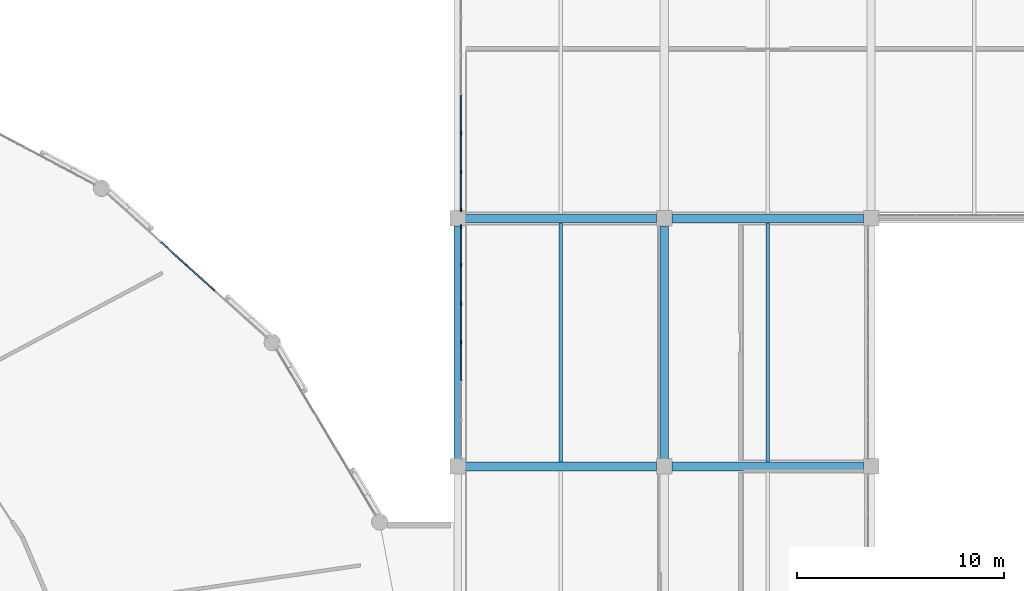
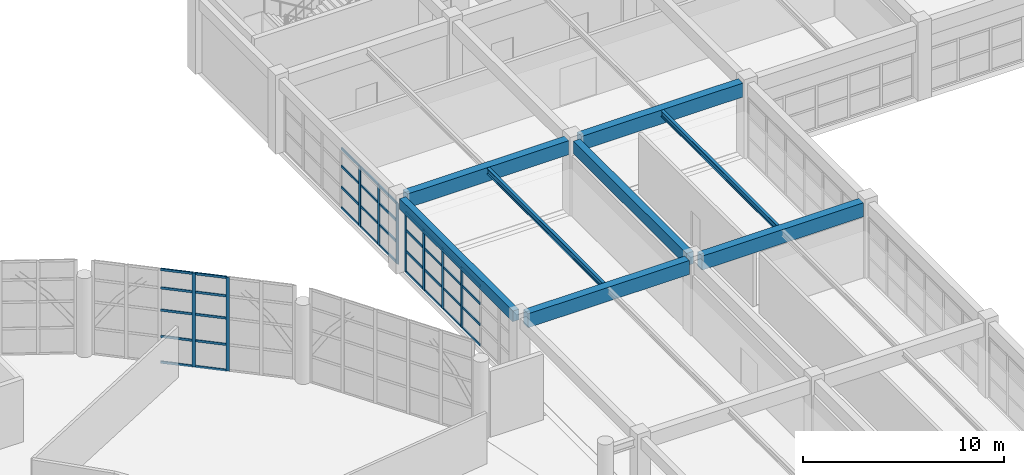
# One storey, part 46 of 109: 47 members, 8 beams, 3 elements without a shape of their own.
"""IFC4 building model written with IfcOpenShell, lengths in metres."""

from ifc_helpers import new_model, si_unit, direction, frame, origin, origin_2d, place, context, subcontext, project, spatial, rectangle, i_section, extrude, material, layer, layer_set, material_profile, profile_set, type_object, element, aggregate, save


model = new_model("IFC4")

# Units and contexts
model_context = context("Model", 3, precision=1e-05, world=origin(), true_north=direction((0.0, 1.0)))
body_context = subcontext(model_context, "Body", "Model", "MODEL_VIEW")
ifc_project = project(units=[si_unit("LENGTHUNIT", "METRE"), si_unit("AREAUNIT", "SQUARE_METRE"), si_unit("VOLUMEUNIT", "CUBIC_METRE"), si_unit("PLANEANGLEUNIT", "RADIAN"), si_unit("MASSUNIT", "GRAM", prefix="KILO")], contexts=[model_context])

# Site, building, storey
site_placement = place(None, origin())
site = spatial("IfcSite", under=ifc_project, at=site_placement, CompositionType="ELEMENT")
building_placement = place(site_placement, origin())
building = spatial("IfcBuilding", under=site, at=building_placement, Name="Kivolera Central Railway Station", CompositionType="ELEMENT")
storey_placement = place(building_placement, frame((0.0, 0.0, 9.60009765625)))
storey = spatial("IfcBuildingStorey", under=building, at=storey_placement, Name="L02", CompositionType="ELEMENT", Elevation=9.60009765625)

# Beams
ifc_material_1 = material(Name="Steel S355", Category="steel")
ifc_material_profile_1 = material_profile(ifc_material_1, i_section(OverallWidth=0.169921875, OverallDepth=0.360107421875, WebThickness=0.008056640625, FlangeThickness=0.0126953125, FilletRadius=0.01806640625, at=origin_2d()), Name="IPE 360")
ifc_profile_set_1 = profile_set([ifc_material_profile_1], Name="Steel S355")
beam_type_1 = type_object("IfcBeamType", Name="BM-JST-IPE360", PredefinedType="JOIST", material=ifc_profile_set_1)
for number, where, z_axis, x_axis, name in (
    (1, (123.0, 102.217041015625, 4.327880859375), (0.0, 1.0, 0.0), (-1.0, 0.0, 0.0), "L02 Floor Joist 12-13/J-K"),
    (2, (133.0, 102.217041015625, 4.327880859375), (0.0, 1.0, 0.0), (-1.0, 0.0, 0.0), "L02 Floor Joist 13-14/J-K"),
):
    element("IfcBeam", number, at=place(storey_placement, frame(where, z_axis=z_axis, x_axis=x_axis)), inside=storey, type_object=beam_type_1, Name=name, PredefinedType="JOIST", context=body_context, shape_type="SweptSolid", body=[
        extrude(i_section(OverallWidth=0.169921875, OverallDepth=0.360107421875, WebThickness=0.008056640625, FlangeThickness=0.0126953125, FilletRadius=0.01806640625, at=origin_2d()), origin(), (0.0, 0.0, 1.0), 11.56591796875),
    ])
ifc_material_2 = material(Name="Concrete C40/50", Category="concrete")
ifc_material_profile_2 = material_profile(ifc_material_2, rectangle(XDim=0.39990234375, YDim=0.75, at=origin_2d()), Name="RC 400x750")
ifc_profile_set_2 = profile_set([ifc_material_profile_2], Name="Concrete C40/50")
beam_type_2 = type_object("IfcBeamType", Name="BM-RC-400x750", PredefinedType="BEAM", material=ifc_profile_set_2)
beam_1_placement = place(storey_placement, frame((128.0, 102.366943359375, 4.14501953125), z_axis=(0.0, 1.0, 0.0), x_axis=(-1.0, 0.0, 0.0)))
element("IfcBeam", 3, at=beam_1_placement, inside=storey, type_object=beam_type_2, Name="L02 Wing Y-Beam 13:J-K", PredefinedType="BEAM", context=body_context, shape_type="SweptSolid", body=[
    extrude(rectangle(XDim=0.39990234375, YDim=0.75, at=origin_2d()), origin(), (0.0, 0.0, 1.0), 11.26611328125),
])
ifc_material_profile_3 = material_profile(ifc_material_2, rectangle(XDim=0.449951171875, YDim=0.85009765625, at=origin_2d()), Name="RC 450x850")
ifc_profile_set_3 = profile_set([ifc_material_profile_3], Name="Concrete C40/50")
beam_type_3 = type_object("IfcBeamType", Name="BM-RC-450x850", PredefinedType="BEAM", material=ifc_profile_set_3)
for number, where, z_axis, x_axis, name in (
    (4, (118.366943359375, 102.0, 4.094970703125), (1.0, 0.0, 0.0), (0.0, 1.0, 0.0), "L02 Wing X-Beam J:12-13"),
    (5, (128.366943359375, 102.0, 4.094970703125), (1.0, 0.0, 0.0), (0.0, 1.0, 0.0), "L02 Wing X-Beam J:13-14"),
    (6, (118.366943359375, 114.0, 4.094970703125), (1.0, 0.0, 0.0), (0.0, 1.0, 0.0), "L02 Wing X-Beam K:12-13"),
    (7, (128.366943359375, 114.0, 4.094970703125), (1.0, 0.0, 0.0), (0.0, 1.0, 0.0), "L02 Wing X-Beam K:13-14"),
):
    element("IfcBeam", number, at=place(storey_placement, frame(where, z_axis=z_axis, x_axis=x_axis)), inside=storey, type_object=beam_type_3, Name=name, PredefinedType="BEAM", context=body_context, shape_type="SweptSolid", body=[
        extrude(rectangle(XDim=0.449951171875, YDim=0.85009765625, at=origin_2d()), origin(), (0.0, 0.0, 1.0), 9.26611328125),
    ])
ifc_material_profile_4 = material_profile(ifc_material_2, rectangle(XDim=0.35009765625, YDim=0.64990234375, at=origin_2d()), Name="RC 350x650")
ifc_profile_set_4 = profile_set([ifc_material_profile_4], Name="Concrete C40/50")
beam_type_4 = type_object("IfcBeamType", Name="BM-SPN-RC650", PredefinedType="SPANDREL", material=ifc_profile_set_4)
beam_2_placement = place(storey_placement, frame((118.0, 102.366943359375, 4.19482421875), z_axis=(0.0, 1.0, 0.0), x_axis=(-1.0, 0.0, 0.0)))
element("IfcBeam", 8, at=beam_2_placement, inside=storey, type_object=beam_type_4, Name="L02 Wing Y-Beam 12:J-K", PredefinedType="SPANDREL", context=body_context, shape_type="SweptSolid", body=[
    extrude(rectangle(XDim=0.35009765625, YDim=0.64990234375, at=origin_2d()), origin(), (0.0, 0.0, 1.0), 11.26611328125),
])

# Curtain wall, members
ifc_material_3 = material(Name="Anodised aluminium", Category="aluminium")
ifc_layer_1 = layer(ifc_material_3, 0.179931640625, Name="Anodised aluminium")
ifc_layer_set_1 = layer_set([ifc_layer_1], Name="Anodised aluminium")
curtain_wall_type_1 = type_object("IfcCurtainWallType", Name="CW-SYS-06", PredefinedType="NOTDEFINED", material=ifc_layer_set_1)
curtain_wall_1_placement = place(storey_placement, origin())
curtain_wall_1 = element("IfcCurtainWall", 9, at=curtain_wall_1_placement, inside=storey, type_object=curtain_wall_type_1, Name="L02 Curtain Wall CW-L02-OVL-02", PredefinedType="NOTDEFINED")
ifc_material_profile_5 = material_profile(ifc_material_3, rectangle(XDim=0.070068359375, YDim=0.179931640625, at=origin_2d()), Name="ALU MULL 70x180")
ifc_profile_set_5 = profile_set([ifc_material_profile_5], Name="Anodised aluminium")
member_type_1 = type_object("IfcMemberType", Name="CWM-MUL-1", PredefinedType="MULLION", material=ifc_profile_set_5)
member_1_placement = place(storey_placement, frame((104.901611328125, 111.72802734375, -0.005126953125), z_axis=(0.0, 0.0, 1.0), x_axis=(0.66992157428, 0.742431871833, 0.0)))
member_1 = element("IfcMember", 10, at=member_1_placement, type_object=member_type_1, Name="CW-06 mullion 4", PredefinedType="MULLION", context=body_context, shape_type="SweptSolid", body=[
    extrude(rectangle(XDim=0.070068359375, YDim=0.179931640625, at=origin_2d()), origin(), (0.0, 0.0, 1.0), 5.705078125),
])
member_2_placement = place(storey_placement, frame((106.1796875, 110.57470703125, -0.005126953125), z_axis=(0.0, 0.0, 1.0), x_axis=(0.66992157428, 0.742431871833, 0.0)))
member_2 = element("IfcMember", 11, at=member_2_placement, type_object=member_type_1, Name="CW-06 mullion 5", PredefinedType="MULLION", context=body_context, shape_type="SweptSolid", body=[
    extrude(rectangle(XDim=0.070068359375, YDim=0.179931640625, at=origin_2d()), origin(), (0.0, 0.0, 1.0), 5.705078125),
])

ifc_layer_2 = layer(ifc_material_3, 0.179931640625, Name="Anodised aluminium")
ifc_layer_set_2 = layer_set([ifc_layer_2], Name="Anodised aluminium")
curtain_wall_type_2 = type_object("IfcCurtainWallType", Name="CW-SYS-28", PredefinedType="NOTDEFINED", material=ifc_layer_set_2)
curtain_wall_2_placement = place(storey_placement, origin())
curtain_wall_2 = element("IfcCurtainWall", 12, at=curtain_wall_2_placement, inside=storey, type_object=curtain_wall_type_2, Name="L02 Curtain Wall CW-L02-WEST-J", PredefinedType="NOTDEFINED")
member_3_placement = place(storey_placement, frame((118.153076171875, 108.0, -0.005126953125), z_axis=(0.0, 0.0, 1.0), x_axis=(-1.0, 0.0, 0.0)))
member_3 = element("IfcMember", 13, at=member_3_placement, type_object=member_type_1, Name="CW-28 mullion 4", PredefinedType="MULLION", context=body_context, shape_type="SweptSolid", body=[
    extrude(rectangle(XDim=0.070068359375, YDim=0.179931640625, at=origin_2d()), origin(), (0.0, 0.0, 1.0), 3.6630859375),
])
member_4_placement = place(storey_placement, frame((118.153076171875, 109.876708984375, -0.005126953125), z_axis=(0.0, 0.0, 1.0), x_axis=(-1.0, 0.0, 0.0)))
member_4 = element("IfcMember", 14, at=member_4_placement, type_object=member_type_1, Name="CW-28 mullion 5", PredefinedType="MULLION", context=body_context, shape_type="SweptSolid", body=[
    extrude(rectangle(XDim=0.070068359375, YDim=0.179931640625, at=origin_2d()), origin(), (0.0, 0.0, 1.0), 3.6630859375),
])
member_5_placement = place(storey_placement, frame((118.153076171875, 111.75341796875, -0.005126953125), z_axis=(0.0, 0.0, 1.0), x_axis=(-1.0, 0.0, 0.0)))
member_5 = element("IfcMember", 15, at=member_5_placement, type_object=member_type_1, Name="CW-28 mullion 6", PredefinedType="MULLION", context=body_context, shape_type="SweptSolid", body=[
    extrude(rectangle(XDim=0.070068359375, YDim=0.179931640625, at=origin_2d()), origin(), (0.0, 0.0, 1.0), 3.6630859375),
])
member_6_placement = place(storey_placement, frame((118.153076171875, 113.594970703125, -0.005126953125), z_axis=(0.0, 0.0, 1.0), x_axis=(-1.0, 0.0, 0.0)))
member_6 = element("IfcMember", 16, at=member_6_placement, type_object=member_type_1, Name="CW-28 mullion 7", PredefinedType="MULLION", context=body_context, shape_type="SweptSolid", body=[
    extrude(rectangle(XDim=0.070068359375, YDim=0.179931640625, at=origin_2d()), origin(), (0.0, 0.0, 1.0), 3.6630859375),
])

curtain_wall_3_placement = place(storey_placement, origin())
curtain_wall_3 = element("IfcCurtainWall", 17, at=curtain_wall_3_placement, inside=storey, type_object=curtain_wall_type_2, Name="L02 Curtain Wall CW-L02-WEST-K", PredefinedType="NOTDEFINED")
member_7_placement = place(storey_placement, frame((118.153076171875, 114.405029296875, -0.005126953125), z_axis=(0.0, 0.0, 1.0), x_axis=(-1.0, 0.0, 0.0)))
member_7 = element("IfcMember", 18, at=member_7_placement, type_object=member_type_1, Name="CW-28 mullion 1", PredefinedType="MULLION", context=body_context, shape_type="SweptSolid", body=[
    extrude(rectangle(XDim=0.070068359375, YDim=0.179931640625, at=origin_2d()), origin(), (0.0, 0.0, 1.0), 3.6630859375),
])
member_8_placement = place(storey_placement, frame((118.153076171875, 116.24658203125, -0.005126953125), z_axis=(0.0, 0.0, 1.0), x_axis=(-1.0, 0.0, 0.0)))
member_8 = element("IfcMember", 19, at=member_8_placement, type_object=member_type_1, Name="CW-28 mullion 2", PredefinedType="MULLION", context=body_context, shape_type="SweptSolid", body=[
    extrude(rectangle(XDim=0.070068359375, YDim=0.179931640625, at=origin_2d()), origin(), (0.0, 0.0, 1.0), 3.6630859375),
])
member_9_placement = place(storey_placement, frame((118.153076171875, 118.123291015625, -0.005126953125), z_axis=(0.0, 0.0, 1.0), x_axis=(-1.0, 0.0, 0.0)))
member_9 = element("IfcMember", 20, at=member_9_placement, type_object=member_type_1, Name="CW-28 mullion 3", PredefinedType="MULLION", context=body_context, shape_type="SweptSolid", body=[
    extrude(rectangle(XDim=0.070068359375, YDim=0.179931640625, at=origin_2d()), origin(), (0.0, 0.0, 1.0), 3.6630859375),
])

# Member
ifc_material_profile_6 = material_profile(ifc_material_3, rectangle(XDim=0.070068359375, YDim=0.139892578125, at=origin_2d()), Name="ALU TRAN 70x140")
ifc_profile_set_6 = profile_set([ifc_material_profile_6], Name="Anodised aluminium")
member_type_2 = type_object("IfcMemberType", Name="CWM-TRN-1", PredefinedType="USERDEFINED", material=ifc_profile_set_6)
member_10_placement = place(storey_placement, frame((103.6494140625, 112.85791015625, 0.034912109375), z_axis=(0.742396704206, -0.669960546289, 0.0), x_axis=(0.669960546289, 0.742396704206, 0.0)))
member_10 = element("IfcMember", 21, at=member_10_placement, type_object=member_type_2, Name="CW-06 transom 3.1", ObjectType="TRANSOM", PredefinedType="USERDEFINED", context=body_context, shape_type="SweptSolid", body=[
    extrude(rectangle(XDim=0.070068359375, YDim=0.139892578125, at=origin_2d()), origin(), (0.0, 0.0, 1.0), 1.651611328125),
])

member_11_placement = place(storey_placement, frame((103.6494140625, 112.85791015625, 1.599853515625), z_axis=(0.742396704206, -0.669960546289, 0.0), x_axis=(0.669960546289, 0.742396704206, 0.0)))
member_11 = element("IfcMember", 22, at=member_11_placement, type_object=member_type_2, Name="CW-06 transom 3.2", ObjectType="TRANSOM", PredefinedType="USERDEFINED", context=body_context, shape_type="SweptSolid", body=[
    extrude(rectangle(XDim=0.070068359375, YDim=0.139892578125, at=origin_2d()), origin(), (0.0, 0.0, 1.0), 1.651611328125),
])

member_12_placement = place(storey_placement, frame((103.6494140625, 112.85791015625, 3.199951171875), z_axis=(0.742396704206, -0.669960546289, 0.0), x_axis=(0.669960546289, 0.742396704206, 0.0)))
member_12 = element("IfcMember", 23, at=member_12_placement, type_object=member_type_2, Name="CW-06 transom 3.3", ObjectType="TRANSOM", PredefinedType="USERDEFINED", context=body_context, shape_type="SweptSolid", body=[
    extrude(rectangle(XDim=0.070068359375, YDim=0.139892578125, at=origin_2d()), origin(), (0.0, 0.0, 1.0), 1.651611328125),
])

member_13_placement = place(storey_placement, frame((103.6494140625, 112.85791015625, 4.5498046875), z_axis=(0.742396704206, -0.669960546289, 0.0), x_axis=(0.669960546289, 0.742396704206, 0.0)))
member_13 = element("IfcMember", 24, at=member_13_placement, type_object=member_type_2, Name="CW-06 transom 3.4", ObjectType="TRANSOM", PredefinedType="USERDEFINED", context=body_context, shape_type="SweptSolid", body=[
    extrude(rectangle(XDim=0.070068359375, YDim=0.139892578125, at=origin_2d()), origin(), (0.0, 0.0, 1.0), 1.651611328125),
])

member_14_placement = place(storey_placement, frame((103.6494140625, 112.85791015625, 5.664794921875), z_axis=(0.742396704206, -0.669960546289, 0.0), x_axis=(0.669960546289, 0.742396704206, 0.0)))
member_14 = element("IfcMember", 25, at=member_14_placement, type_object=member_type_2, Name="CW-06 transom 3.5", ObjectType="TRANSOM", PredefinedType="USERDEFINED", context=body_context, shape_type="SweptSolid", body=[
    extrude(rectangle(XDim=0.070068359375, YDim=0.139892578125, at=origin_2d()), origin(), (0.0, 0.0, 1.0), 1.651611328125),
])

member_15_placement = place(storey_placement, frame((104.927490234375, 111.70458984375, 0.034912109375), z_axis=(0.742396704206, -0.669960546289, 0.0), x_axis=(0.669960546289, 0.742396704206, 0.0)))
member_15 = element("IfcMember", 26, at=member_15_placement, type_object=member_type_2, Name="CW-06 transom 4.1", ObjectType="TRANSOM", PredefinedType="USERDEFINED", context=body_context, shape_type="SweptSolid", body=[
    extrude(rectangle(XDim=0.070068359375, YDim=0.139892578125, at=origin_2d()), origin(), (0.0, 0.0, 1.0), 1.651611328125),
])

member_16_placement = place(storey_placement, frame((104.927490234375, 111.70458984375, 1.599853515625), z_axis=(0.742396704206, -0.669960546289, 0.0), x_axis=(0.669960546289, 0.742396704206, 0.0)))
member_16 = element("IfcMember", 27, at=member_16_placement, type_object=member_type_2, Name="CW-06 transom 4.2", ObjectType="TRANSOM", PredefinedType="USERDEFINED", context=body_context, shape_type="SweptSolid", body=[
    extrude(rectangle(XDim=0.070068359375, YDim=0.139892578125, at=origin_2d()), origin(), (0.0, 0.0, 1.0), 1.651611328125),
])

member_17_placement = place(storey_placement, frame((104.927490234375, 111.70458984375, 3.199951171875), z_axis=(0.742396704206, -0.669960546289, 0.0), x_axis=(0.669960546289, 0.742396704206, 0.0)))
member_17 = element("IfcMember", 28, at=member_17_placement, type_object=member_type_2, Name="CW-06 transom 4.3", ObjectType="TRANSOM", PredefinedType="USERDEFINED", context=body_context, shape_type="SweptSolid", body=[
    extrude(rectangle(XDim=0.070068359375, YDim=0.139892578125, at=origin_2d()), origin(), (0.0, 0.0, 1.0), 1.651611328125),
])

member_18_placement = place(storey_placement, frame((104.927490234375, 111.70458984375, 4.5498046875), z_axis=(0.742396704206, -0.669960546289, 0.0), x_axis=(0.669960546289, 0.742396704206, 0.0)))
member_18 = element("IfcMember", 29, at=member_18_placement, type_object=member_type_2, Name="CW-06 transom 4.4", ObjectType="TRANSOM", PredefinedType="USERDEFINED", context=body_context, shape_type="SweptSolid", body=[
    extrude(rectangle(XDim=0.070068359375, YDim=0.139892578125, at=origin_2d()), origin(), (0.0, 0.0, 1.0), 1.651611328125),
])

member_19_placement = place(storey_placement, frame((104.927490234375, 111.70458984375, 5.664794921875), z_axis=(0.742396704206, -0.669960546289, 0.0), x_axis=(0.669960546289, 0.742396704206, 0.0)))
member_19 = element("IfcMember", 30, at=member_19_placement, type_object=member_type_2, Name="CW-06 transom 4.5", ObjectType="TRANSOM", PredefinedType="USERDEFINED", context=body_context, shape_type="SweptSolid", body=[
    extrude(rectangle(XDim=0.070068359375, YDim=0.139892578125, at=origin_2d()), origin(), (0.0, 0.0, 1.0), 1.651611328125),
])

aggregate(curtain_wall_1, [member_1, member_2, member_10, member_11, member_12, member_13, member_14, member_15, member_16, member_17, member_18, member_19])

member_20_placement = place(storey_placement, frame((118.153076171875, 106.158447265625, 0.034912109375), z_axis=(0.0, 1.0, 0.0), x_axis=(-1.0, 0.0, 0.0)))
member_20 = element("IfcMember", 31, at=member_20_placement, type_object=member_type_2, Name="CW-28 transom 3.1", ObjectType="TRANSOM", PredefinedType="USERDEFINED", context=body_context, shape_type="SweptSolid", body=[
    extrude(rectangle(XDim=0.070068359375, YDim=0.139892578125, at=origin_2d()), origin(), (0.0, 0.0, 1.0), 1.806640625),
])

member_21_placement = place(storey_placement, frame((118.153076171875, 106.158447265625, 1.2802734375), z_axis=(0.0, 1.0, 0.0), x_axis=(-1.0, 0.0, 0.0)))
member_21 = element("IfcMember", 32, at=member_21_placement, type_object=member_type_2, Name="CW-28 transom 3.2", ObjectType="TRANSOM", PredefinedType="USERDEFINED", context=body_context, shape_type="SweptSolid", body=[
    extrude(rectangle(XDim=0.070068359375, YDim=0.139892578125, at=origin_2d()), origin(), (0.0, 0.0, 1.0), 1.806640625),
])

member_22_placement = place(storey_placement, frame((118.153076171875, 106.158447265625, 2.560546875), z_axis=(0.0, 1.0, 0.0), x_axis=(-1.0, 0.0, 0.0)))
member_22 = element("IfcMember", 33, at=member_22_placement, type_object=member_type_2, Name="CW-28 transom 3.3", ObjectType="TRANSOM", PredefinedType="USERDEFINED", context=body_context, shape_type="SweptSolid", body=[
    extrude(rectangle(XDim=0.070068359375, YDim=0.139892578125, at=origin_2d()), origin(), (0.0, 0.0, 1.0), 1.806640625),
])

member_23_placement = place(storey_placement, frame((118.153076171875, 106.158447265625, 3.622802734375), z_axis=(0.0, 1.0, 0.0), x_axis=(-1.0, 0.0, 0.0)))
member_23 = element("IfcMember", 34, at=member_23_placement, type_object=member_type_2, Name="CW-28 transom 3.4", ObjectType="TRANSOM", PredefinedType="USERDEFINED", context=body_context, shape_type="SweptSolid", body=[
    extrude(rectangle(XDim=0.070068359375, YDim=0.139892578125, at=origin_2d()), origin(), (0.0, 0.0, 1.0), 1.806640625),
])

member_24_placement = place(storey_placement, frame((118.153076171875, 108.034912109375, 0.034912109375), z_axis=(0.0, 1.0, 0.0), x_axis=(-1.0, 0.0, 0.0)))
member_24 = element("IfcMember", 35, at=member_24_placement, type_object=member_type_2, Name="CW-28 transom 4.1", ObjectType="TRANSOM", PredefinedType="USERDEFINED", context=body_context, shape_type="SweptSolid", body=[
    extrude(rectangle(XDim=0.070068359375, YDim=0.139892578125, at=origin_2d()), origin(), (0.0, 0.0, 1.0), 1.806640625),
])

member_25_placement = place(storey_placement, frame((118.153076171875, 108.034912109375, 1.2802734375), z_axis=(0.0, 1.0, 0.0), x_axis=(-1.0, 0.0, 0.0)))
member_25 = element("IfcMember", 36, at=member_25_placement, type_object=member_type_2, Name="CW-28 transom 4.2", ObjectType="TRANSOM", PredefinedType="USERDEFINED", context=body_context, shape_type="SweptSolid", body=[
    extrude(rectangle(XDim=0.070068359375, YDim=0.139892578125, at=origin_2d()), origin(), (0.0, 0.0, 1.0), 1.806640625),
])

member_26_placement = place(storey_placement, frame((118.153076171875, 108.034912109375, 2.560546875), z_axis=(0.0, 1.0, 0.0), x_axis=(-1.0, 0.0, 0.0)))
member_26 = element("IfcMember", 37, at=member_26_placement, type_object=member_type_2, Name="CW-28 transom 4.3", ObjectType="TRANSOM", PredefinedType="USERDEFINED", context=body_context, shape_type="SweptSolid", body=[
    extrude(rectangle(XDim=0.070068359375, YDim=0.139892578125, at=origin_2d()), origin(), (0.0, 0.0, 1.0), 1.806640625),
])

member_27_placement = place(storey_placement, frame((118.153076171875, 108.034912109375, 3.622802734375), z_axis=(0.0, 1.0, 0.0), x_axis=(-1.0, 0.0, 0.0)))
member_27 = element("IfcMember", 38, at=member_27_placement, type_object=member_type_2, Name="CW-28 transom 4.4", ObjectType="TRANSOM", PredefinedType="USERDEFINED", context=body_context, shape_type="SweptSolid", body=[
    extrude(rectangle(XDim=0.070068359375, YDim=0.139892578125, at=origin_2d()), origin(), (0.0, 0.0, 1.0), 1.806640625),
])

member_28_placement = place(storey_placement, frame((118.153076171875, 109.91162109375, 0.034912109375), z_axis=(0.0, 1.0, 0.0), x_axis=(-1.0, 0.0, 0.0)))
member_28 = element("IfcMember", 39, at=member_28_placement, type_object=member_type_2, Name="CW-28 transom 5.1", ObjectType="TRANSOM", PredefinedType="USERDEFINED", context=body_context, shape_type="SweptSolid", body=[
    extrude(rectangle(XDim=0.070068359375, YDim=0.139892578125, at=origin_2d()), origin(), (0.0, 0.0, 1.0), 1.806640625),
])

member_29_placement = place(storey_placement, frame((118.153076171875, 109.91162109375, 1.2802734375), z_axis=(0.0, 1.0, 0.0), x_axis=(-1.0, 0.0, 0.0)))
member_29 = element("IfcMember", 40, at=member_29_placement, type_object=member_type_2, Name="CW-28 transom 5.2", ObjectType="TRANSOM", PredefinedType="USERDEFINED", context=body_context, shape_type="SweptSolid", body=[
    extrude(rectangle(XDim=0.070068359375, YDim=0.139892578125, at=origin_2d()), origin(), (0.0, 0.0, 1.0), 1.806640625),
])

member_30_placement = place(storey_placement, frame((118.153076171875, 109.91162109375, 2.560546875), z_axis=(0.0, 1.0, 0.0), x_axis=(-1.0, 0.0, 0.0)))
member_30 = element("IfcMember", 41, at=member_30_placement, type_object=member_type_2, Name="CW-28 transom 5.3", ObjectType="TRANSOM", PredefinedType="USERDEFINED", context=body_context, shape_type="SweptSolid", body=[
    extrude(rectangle(XDim=0.070068359375, YDim=0.139892578125, at=origin_2d()), origin(), (0.0, 0.0, 1.0), 1.806640625),
])

member_31_placement = place(storey_placement, frame((118.153076171875, 109.91162109375, 3.622802734375), z_axis=(0.0, 1.0, 0.0), x_axis=(-1.0, 0.0, 0.0)))
member_31 = element("IfcMember", 42, at=member_31_placement, type_object=member_type_2, Name="CW-28 transom 5.4", ObjectType="TRANSOM", PredefinedType="USERDEFINED", context=body_context, shape_type="SweptSolid", body=[
    extrude(rectangle(XDim=0.070068359375, YDim=0.139892578125, at=origin_2d()), origin(), (0.0, 0.0, 1.0), 1.806640625),
])

member_32_placement = place(storey_placement, frame((118.153076171875, 111.788330078125, 0.034912109375), z_axis=(0.0, 1.0, 0.0), x_axis=(-1.0, 0.0, 0.0)))
member_32 = element("IfcMember", 43, at=member_32_placement, type_object=member_type_2, Name="CW-28 transom 6.1", ObjectType="TRANSOM", PredefinedType="USERDEFINED", context=body_context, shape_type="SweptSolid", body=[
    extrude(rectangle(XDim=0.070068359375, YDim=0.139892578125, at=origin_2d()), origin(), (0.0, 0.0, 1.0), 1.771728515625),
])

member_33_placement = place(storey_placement, frame((118.153076171875, 111.788330078125, 1.2802734375), z_axis=(0.0, 1.0, 0.0), x_axis=(-1.0, 0.0, 0.0)))
member_33 = element("IfcMember", 44, at=member_33_placement, type_object=member_type_2, Name="CW-28 transom 6.2", ObjectType="TRANSOM", PredefinedType="USERDEFINED", context=body_context, shape_type="SweptSolid", body=[
    extrude(rectangle(XDim=0.070068359375, YDim=0.139892578125, at=origin_2d()), origin(), (0.0, 0.0, 1.0), 1.771728515625),
])

member_34_placement = place(storey_placement, frame((118.153076171875, 111.788330078125, 2.560546875), z_axis=(0.0, 1.0, 0.0), x_axis=(-1.0, 0.0, 0.0)))
member_34 = element("IfcMember", 45, at=member_34_placement, type_object=member_type_2, Name="CW-28 transom 6.3", ObjectType="TRANSOM", PredefinedType="USERDEFINED", context=body_context, shape_type="SweptSolid", body=[
    extrude(rectangle(XDim=0.070068359375, YDim=0.139892578125, at=origin_2d()), origin(), (0.0, 0.0, 1.0), 1.771728515625),
])

member_35_placement = place(storey_placement, frame((118.153076171875, 111.788330078125, 3.622802734375), z_axis=(0.0, 1.0, 0.0), x_axis=(-1.0, 0.0, 0.0)))
member_35 = element("IfcMember", 46, at=member_35_placement, type_object=member_type_2, Name="CW-28 transom 6.4", ObjectType="TRANSOM", PredefinedType="USERDEFINED", context=body_context, shape_type="SweptSolid", body=[
    extrude(rectangle(XDim=0.070068359375, YDim=0.139892578125, at=origin_2d()), origin(), (0.0, 0.0, 1.0), 1.771728515625),
])

aggregate(curtain_wall_2, [member_3, member_4, member_5, member_6, member_20, member_21, member_22, member_23, member_24, member_25, member_26, member_27, member_28, member_29, member_30, member_31, member_32, member_33, member_34, member_35])

member_36_placement = place(storey_placement, frame((118.153076171875, 114.43994140625, 0.034912109375), z_axis=(0.0, 1.0, 0.0), x_axis=(-1.0, 0.0, 0.0)))
member_36 = element("IfcMember", 47, at=member_36_placement, type_object=member_type_2, Name="CW-28 transom 1.1", ObjectType="TRANSOM", PredefinedType="USERDEFINED", context=body_context, shape_type="SweptSolid", body=[
    extrude(rectangle(XDim=0.070068359375, YDim=0.139892578125, at=origin_2d()), origin(), (0.0, 0.0, 1.0), 1.771728515625),
])

member_37_placement = place(storey_placement, frame((118.153076171875, 114.43994140625, 1.2802734375), z_axis=(0.0, 1.0, 0.0), x_axis=(-1.0, 0.0, 0.0)))
member_37 = element("IfcMember", 48, at=member_37_placement, type_object=member_type_2, Name="CW-28 transom 1.2", ObjectType="TRANSOM", PredefinedType="USERDEFINED", context=body_context, shape_type="SweptSolid", body=[
    extrude(rectangle(XDim=0.070068359375, YDim=0.139892578125, at=origin_2d()), origin(), (0.0, 0.0, 1.0), 1.771728515625),
])

member_38_placement = place(storey_placement, frame((118.153076171875, 114.43994140625, 2.560546875), z_axis=(0.0, 1.0, 0.0), x_axis=(-1.0, 0.0, 0.0)))
member_38 = element("IfcMember", 49, at=member_38_placement, type_object=member_type_2, Name="CW-28 transom 1.3", ObjectType="TRANSOM", PredefinedType="USERDEFINED", context=body_context, shape_type="SweptSolid", body=[
    extrude(rectangle(XDim=0.070068359375, YDim=0.139892578125, at=origin_2d()), origin(), (0.0, 0.0, 1.0), 1.771728515625),
])

member_39_placement = place(storey_placement, frame((118.153076171875, 114.43994140625, 3.622802734375), z_axis=(0.0, 1.0, 0.0), x_axis=(-1.0, 0.0, 0.0)))
member_39 = element("IfcMember", 50, at=member_39_placement, type_object=member_type_2, Name="CW-28 transom 1.4", ObjectType="TRANSOM", PredefinedType="USERDEFINED", context=body_context, shape_type="SweptSolid", body=[
    extrude(rectangle(XDim=0.070068359375, YDim=0.139892578125, at=origin_2d()), origin(), (0.0, 0.0, 1.0), 1.771728515625),
])

member_40_placement = place(storey_placement, frame((118.153076171875, 116.28173828125, 0.034912109375), z_axis=(0.0, 1.0, 0.0), x_axis=(-1.0, 0.0, 0.0)))
member_40 = element("IfcMember", 51, at=member_40_placement, type_object=member_type_2, Name="CW-28 transom 2.1", ObjectType="TRANSOM", PredefinedType="USERDEFINED", context=body_context, shape_type="SweptSolid", body=[
    extrude(rectangle(XDim=0.070068359375, YDim=0.139892578125, at=origin_2d()), origin(), (0.0, 0.0, 1.0), 1.806640625),
])

member_41_placement = place(storey_placement, frame((118.153076171875, 116.28173828125, 1.2802734375), z_axis=(0.0, 1.0, 0.0), x_axis=(-1.0, 0.0, 0.0)))
member_41 = element("IfcMember", 52, at=member_41_placement, type_object=member_type_2, Name="CW-28 transom 2.2", ObjectType="TRANSOM", PredefinedType="USERDEFINED", context=body_context, shape_type="SweptSolid", body=[
    extrude(rectangle(XDim=0.070068359375, YDim=0.139892578125, at=origin_2d()), origin(), (0.0, 0.0, 1.0), 1.806640625),
])

member_42_placement = place(storey_placement, frame((118.153076171875, 116.28173828125, 2.560546875), z_axis=(0.0, 1.0, 0.0), x_axis=(-1.0, 0.0, 0.0)))
member_42 = element("IfcMember", 53, at=member_42_placement, type_object=member_type_2, Name="CW-28 transom 2.3", ObjectType="TRANSOM", PredefinedType="USERDEFINED", context=body_context, shape_type="SweptSolid", body=[
    extrude(rectangle(XDim=0.070068359375, YDim=0.139892578125, at=origin_2d()), origin(), (0.0, 0.0, 1.0), 1.806640625),
])

member_43_placement = place(storey_placement, frame((118.153076171875, 116.28173828125, 3.622802734375), z_axis=(0.0, 1.0, 0.0), x_axis=(-1.0, 0.0, 0.0)))
member_43 = element("IfcMember", 54, at=member_43_placement, type_object=member_type_2, Name="CW-28 transom 2.4", ObjectType="TRANSOM", PredefinedType="USERDEFINED", context=body_context, shape_type="SweptSolid", body=[
    extrude(rectangle(XDim=0.070068359375, YDim=0.139892578125, at=origin_2d()), origin(), (0.0, 0.0, 1.0), 1.806640625),
])

member_44_placement = place(storey_placement, frame((118.153076171875, 118.158447265625, 0.034912109375), z_axis=(0.0, 1.0, 0.0), x_axis=(-1.0, 0.0, 0.0)))
member_44 = element("IfcMember", 55, at=member_44_placement, type_object=member_type_2, Name="CW-28 transom 3.1", ObjectType="TRANSOM", PredefinedType="USERDEFINED", context=body_context, shape_type="SweptSolid", body=[
    extrude(rectangle(XDim=0.070068359375, YDim=0.139892578125, at=origin_2d()), origin(), (0.0, 0.0, 1.0), 1.806640625),
])

member_45_placement = place(storey_placement, frame((118.153076171875, 118.158447265625, 1.2802734375), z_axis=(0.0, 1.0, 0.0), x_axis=(-1.0, 0.0, 0.0)))
member_45 = element("IfcMember", 56, at=member_45_placement, type_object=member_type_2, Name="CW-28 transom 3.2", ObjectType="TRANSOM", PredefinedType="USERDEFINED", context=body_context, shape_type="SweptSolid", body=[
    extrude(rectangle(XDim=0.070068359375, YDim=0.139892578125, at=origin_2d()), origin(), (0.0, 0.0, 1.0), 1.806640625),
])

member_46_placement = place(storey_placement, frame((118.153076171875, 118.158447265625, 2.560546875), z_axis=(0.0, 1.0, 0.0), x_axis=(-1.0, 0.0, 0.0)))
member_46 = element("IfcMember", 57, at=member_46_placement, type_object=member_type_2, Name="CW-28 transom 3.3", ObjectType="TRANSOM", PredefinedType="USERDEFINED", context=body_context, shape_type="SweptSolid", body=[
    extrude(rectangle(XDim=0.070068359375, YDim=0.139892578125, at=origin_2d()), origin(), (0.0, 0.0, 1.0), 1.806640625),
])

member_47_placement = place(storey_placement, frame((118.153076171875, 118.158447265625, 3.622802734375), z_axis=(0.0, 1.0, 0.0), x_axis=(-1.0, 0.0, 0.0)))
member_47 = element("IfcMember", 58, at=member_47_placement, type_object=member_type_2, Name="CW-28 transom 3.4", ObjectType="TRANSOM", PredefinedType="USERDEFINED", context=body_context, shape_type="SweptSolid", body=[
    extrude(rectangle(XDim=0.070068359375, YDim=0.139892578125, at=origin_2d()), origin(), (0.0, 0.0, 1.0), 1.806640625),
])

aggregate(curtain_wall_3, [member_7, member_8, member_9, member_36, member_37, member_38, member_39, member_40, member_41, member_42, member_43, member_44, member_45, member_46, member_47])

save(model, "model.ifc")
